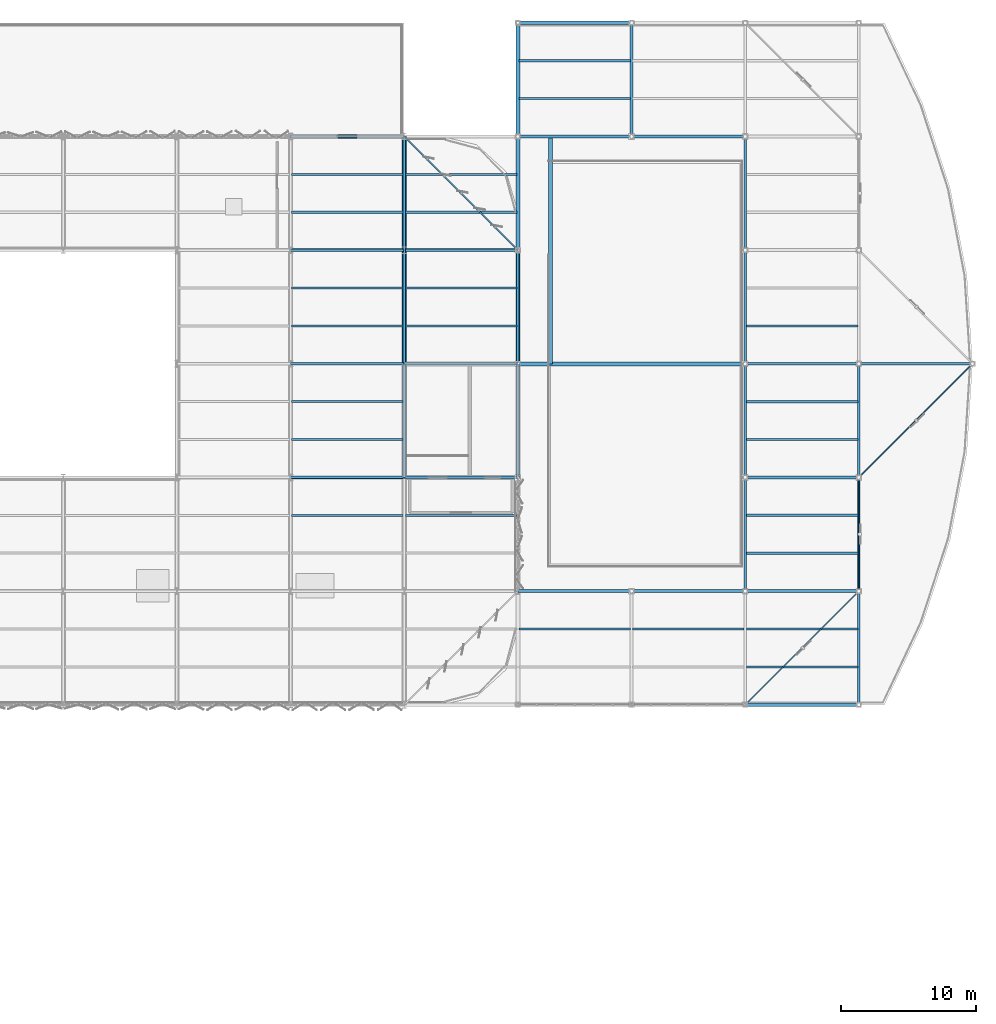
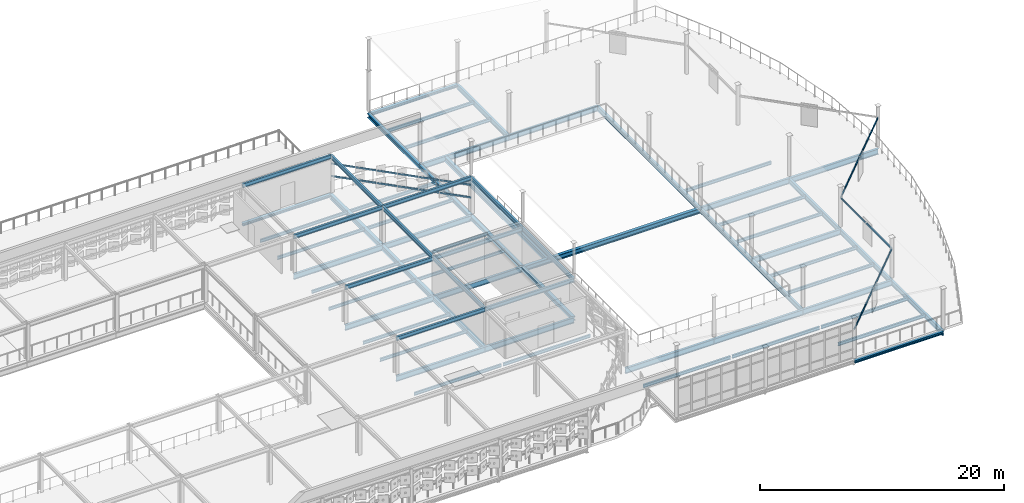
# One storey, part 38 of 65: 74 beams.
"""IFC4 building model written with IfcOpenShell, lengths in metres."""

from ifc_helpers import new_model, si_unit, direction, frame, origin, origin_2d, place, context, subcontext, project, spatial, hollow_rectangle, i_section, extrude, material, material_profile, profile_set, type_object, element, save


model = new_model("IFC4")

# Units and contexts
model_context = context("Model", 3, precision=1e-05, world=origin(), true_north=direction((0.0, 1.0)))
body_context = subcontext(model_context, "Body", "Model", "MODEL_VIEW")
ifc_project = project(units=[si_unit("LENGTHUNIT", "METRE"), si_unit("AREAUNIT", "SQUARE_METRE"), si_unit("VOLUMEUNIT", "CUBIC_METRE"), si_unit("PLANEANGLEUNIT", "RADIAN"), si_unit("MASSUNIT", "GRAM", prefix="KILO")], contexts=[model_context])

# Site, building, storey
site_placement = place(None, origin())
site = spatial("IfcSite", under=ifc_project, at=site_placement, CompositionType="ELEMENT")
building_placement = place(site_placement, origin())
building = spatial("IfcBuilding", under=site, at=building_placement, Name="Qalvenar Corner Mobility Hub", CompositionType="ELEMENT")
storey_placement = place(building_placement, frame((0.0, 0.0, 17.39990234375)))
storey = spatial("IfcBuildingStorey", under=building, at=storey_placement, Name="L04", CompositionType="ELEMENT", Elevation=17.39990234375)

# Beams
ifc_material = material(Name="Steel S355", Category="steel")
ifc_material_profile_1 = material_profile(ifc_material, i_section(OverallWidth=0.300048828125, OverallDepth=0.489990234375, WebThickness=0.011962890625, FlangeThickness=0.02294921875, FilletRadius=0.027099609375, at=origin_2d()), Name="HEA500")
ifc_profile_set_1 = profile_set([ifc_material_profile_1], Name="Steel S355")
beam_type_1 = type_object("IfcBeamType", Name="BM-HEA500", PredefinedType="BEAM", material=ifc_profile_set_1)
beam_1_placement = place(storey_placement, frame((134.39990234375, 84.0, -0.48486328125), z_axis=(0.0, 1.0, 0.0), x_axis=(-1.0, 0.0, 0.0)))
element("IfcBeam", 1, at=beam_1_placement, inside=storey, type_object=beam_type_1, Name="Primary Steel Girder GY-2810", PredefinedType="BEAM", context=body_context, shape_type="SweptSolid", body=[
    extrude(i_section(OverallWidth=0.300048828125, OverallDepth=0.489990234375, WebThickness=0.011962890625, FlangeThickness=0.02294921875, FilletRadius=0.027099609375, at=origin_2d()), origin(), (0.0, 0.0, 1.0), 8.39990234375),
])
beam_2_placement = place(storey_placement, frame((134.39990234375, 92.39990234375, -0.48486328125), z_axis=(0.0, 1.0, 0.0), x_axis=(-1.0, 0.0, 0.0)))
element("IfcBeam", 2, at=beam_2_placement, inside=storey, type_object=beam_type_1, Name="Primary Steel Girder GY-2811", PredefinedType="BEAM", context=body_context, shape_type="SweptSolid", body=[
    extrude(i_section(OverallWidth=0.300048828125, OverallDepth=0.489990234375, WebThickness=0.011962890625, FlangeThickness=0.02294921875, FilletRadius=0.027099609375, at=origin_2d()), origin(), (0.0, 0.0, 1.0), 8.400146484375),
])
beam_3_placement = place(storey_placement, frame((134.39990234375, 100.800048828125, -0.48486328125), z_axis=(0.0, 1.0, 0.0), x_axis=(-1.0, 0.0, 0.0)))
element("IfcBeam", 3, at=beam_3_placement, inside=storey, type_object=beam_type_1, Name="Primary Steel Girder GY-2812", PredefinedType="BEAM", context=body_context, shape_type="SweptSolid", body=[
    extrude(i_section(OverallWidth=0.300048828125, OverallDepth=0.489990234375, WebThickness=0.011962890625, FlangeThickness=0.02294921875, FilletRadius=0.027099609375, at=origin_2d()), origin(), (0.0, 0.0, 1.0), 8.39990234375),
])
for number, where, z_axis, x_axis, name in (
    (4, (142.800048828125, 92.39990234375, -0.512939453125), (1.0, 0.0, 0.0), (0.0, 1.0, 0.0), "Ramp Well Central Tie Girder L04"),
    (5, (145.199951171875, 92.39990234375, -0.512939453125), (0.0, 1.0, 0.0), (-1.0, 0.0, 0.0), "Ramp West Header Girder L04-HI"),
):
    element("IfcBeam", number, at=place(storey_placement, frame(where, z_axis=z_axis, x_axis=x_axis)), inside=storey, type_object=beam_type_1, Name=name, PredefinedType="BEAM", context=body_context, shape_type="SweptSolid", body=[
        extrude(i_section(OverallWidth=0.300048828125, OverallDepth=0.489990234375, WebThickness=0.011962890625, FlangeThickness=0.02294921875, FilletRadius=0.027099609375, at=origin_2d()), origin(), (0.0, 0.0, 1.0), 16.800048828125),
    ])
ifc_material_profile_2 = material_profile(ifc_material, i_section(OverallWidth=0.179931640625, OverallDepth=0.39990234375, WebThickness=0.008544921875, FlangeThickness=0.013427734375, FilletRadius=0.02099609375, at=origin_2d()), Name="IPE400")
ifc_profile_set_2 = profile_set([ifc_material_profile_2], Name="Steel S355")
beam_type_2 = type_object("IfcBeamType", Name="BM-IPE400", PredefinedType="BEAM", material=ifc_profile_set_2)
beam_4_placement = place(storey_placement, frame((134.39990234375, 84.0, 3.47021484375), z_axis=(0.0, 1.0, 0.0), x_axis=(-1.0, 0.0, 0.0)))
element("IfcBeam", 6, at=beam_4_placement, inside=storey, type_object=beam_type_2, Name="EV Roof Girder V4RF-Y-134-84", PredefinedType="BEAM", context=body_context, shape_type="SweptSolid", body=[
    extrude(i_section(OverallWidth=0.179931640625, OverallDepth=0.39990234375, WebThickness=0.008544921875, FlangeThickness=0.013427734375, FilletRadius=0.02099609375, at=origin_2d()), origin(), (0.0, 0.0, 1.0), 8.39990234375),
])
beam_5_placement = place(storey_placement, frame((134.39990234375, 92.39990234375, 3.47021484375), z_axis=(0.0, 1.0, 0.0), x_axis=(-1.0, 0.0, 0.0)))
element("IfcBeam", 7, at=beam_5_placement, inside=storey, type_object=beam_type_2, Name="EV Roof Girder V4RF-Y-134-92", PredefinedType="BEAM", context=body_context, shape_type="SweptSolid", body=[
    extrude(i_section(OverallWidth=0.179931640625, OverallDepth=0.39990234375, WebThickness=0.008544921875, FlangeThickness=0.013427734375, FilletRadius=0.02099609375, at=origin_2d()), origin(), (0.0, 0.0, 1.0), 8.400146484375),
])
for number, where, z_axis, x_axis, name in (
    (8, (134.39990234375, 100.800048828125, 3.47021484375), (0.0, 1.0, 0.0), (-1.0, 0.0, 0.0), "EV Roof Girder V4RF-Y-134-100"),
    (9, (142.800048828125, 84.0, 3.47021484375), (0.0, 1.0, 0.0), (-1.0, 0.0, 0.0), "EV Roof Girder V4RF-Y-142-84"),
):
    element("IfcBeam", number, at=place(storey_placement, frame(where, z_axis=z_axis, x_axis=x_axis)), inside=storey, type_object=beam_type_2, Name=name, PredefinedType="BEAM", context=body_context, shape_type="SweptSolid", body=[
        extrude(i_section(OverallWidth=0.179931640625, OverallDepth=0.39990234375, WebThickness=0.008544921875, FlangeThickness=0.013427734375, FilletRadius=0.02099609375, at=origin_2d()), origin(), (0.0, 0.0, 1.0), 8.39990234375),
    ])
beam_6_placement = place(storey_placement, frame((142.800048828125, 92.39990234375, 3.47021484375), z_axis=(0.0, 1.0, 0.0), x_axis=(-1.0, 0.0, 0.0)))
element("IfcBeam", 10, at=beam_6_placement, inside=storey, type_object=beam_type_2, Name="EV Roof Girder V4RF-Y-142-92", PredefinedType="BEAM", context=body_context, shape_type="SweptSolid", body=[
    extrude(i_section(OverallWidth=0.179931640625, OverallDepth=0.39990234375, WebThickness=0.008544921875, FlangeThickness=0.013427734375, FilletRadius=0.02099609375, at=origin_2d()), origin(), (0.0, 0.0, 1.0), 8.400146484375),
])
beam_7_placement = place(storey_placement, frame((126.0, 84.0, 3.47021484375), z_axis=(1.0, 0.0, 0.0), x_axis=(0.0, 1.0, 0.0)))
element("IfcBeam", 11, at=beam_7_placement, inside=storey, type_object=beam_type_2, Name="EV Roof Girder V4RF-X-126-84", PredefinedType="BEAM", context=body_context, shape_type="SweptSolid", body=[
    extrude(i_section(OverallWidth=0.179931640625, OverallDepth=0.39990234375, WebThickness=0.008544921875, FlangeThickness=0.013427734375, FilletRadius=0.02099609375, at=origin_2d()), origin(), (0.0, 0.0, 1.0), 8.39990234375),
])
beam_8_placement = place(storey_placement, frame((134.39990234375, 84.0, 3.47021484375), z_axis=(1.0, 0.0, 0.0), x_axis=(0.0, 1.0, 0.0)))
element("IfcBeam", 12, at=beam_8_placement, inside=storey, type_object=beam_type_2, Name="EV Roof Girder V4RF-X-134-84", PredefinedType="BEAM", context=body_context, shape_type="SweptSolid", body=[
    extrude(i_section(OverallWidth=0.179931640625, OverallDepth=0.39990234375, WebThickness=0.008544921875, FlangeThickness=0.013427734375, FilletRadius=0.02099609375, at=origin_2d()), origin(), (0.0, 0.0, 1.0), 8.400146484375),
])
beam_9_placement = place(storey_placement, frame((126.0, 92.39990234375, 3.47021484375), z_axis=(1.0, 0.0, 0.0), x_axis=(0.0, 1.0, 0.0)))
element("IfcBeam", 13, at=beam_9_placement, inside=storey, type_object=beam_type_2, Name="EV Roof Girder V4RF-X-126-92", PredefinedType="BEAM", context=body_context, shape_type="SweptSolid", body=[
    extrude(i_section(OverallWidth=0.179931640625, OverallDepth=0.39990234375, WebThickness=0.008544921875, FlangeThickness=0.013427734375, FilletRadius=0.02099609375, at=origin_2d()), origin(), (0.0, 0.0, 1.0), 8.39990234375),
])
beam_10_placement = place(storey_placement, frame((134.39990234375, 92.39990234375, 3.47021484375), z_axis=(1.0, 0.0, 0.0), x_axis=(0.0, 1.0, 0.0)))
element("IfcBeam", 14, at=beam_10_placement, inside=storey, type_object=beam_type_2, Name="EV Roof Girder V4RF-X-134-92", PredefinedType="BEAM", context=body_context, shape_type="SweptSolid", body=[
    extrude(i_section(OverallWidth=0.179931640625, OverallDepth=0.39990234375, WebThickness=0.008544921875, FlangeThickness=0.013427734375, FilletRadius=0.02099609375, at=origin_2d()), origin(), (0.0, 0.0, 1.0), 8.400146484375),
])
beam_11_placement = place(storey_placement, frame((126.0, 100.800048828125, 3.47021484375), z_axis=(1.0, 0.0, 0.0), x_axis=(0.0, 1.0, 0.0)))
element("IfcBeam", 15, at=beam_11_placement, inside=storey, type_object=beam_type_2, Name="EV Roof Girder V4RF-X-126-100", PredefinedType="BEAM", context=body_context, shape_type="SweptSolid", body=[
    extrude(i_section(OverallWidth=0.179931640625, OverallDepth=0.39990234375, WebThickness=0.008544921875, FlangeThickness=0.013427734375, FilletRadius=0.02099609375, at=origin_2d()), origin(), (0.0, 0.0, 1.0), 8.39990234375),
])
beam_12_placement = place(storey_placement, frame((134.39990234375, 100.800048828125, 3.47021484375), z_axis=(1.0, 0.0, 0.0), x_axis=(0.0, 1.0, 0.0)))
element("IfcBeam", 16, at=beam_12_placement, inside=storey, type_object=beam_type_2, Name="EV Roof Girder V4RF-X-134-100", PredefinedType="BEAM", context=body_context, shape_type="SweptSolid", body=[
    extrude(i_section(OverallWidth=0.179931640625, OverallDepth=0.39990234375, WebThickness=0.008544921875, FlangeThickness=0.013427734375, FilletRadius=0.02099609375, at=origin_2d()), origin(), (0.0, 0.0, 1.0), 8.400146484375),
])
beam_13_placement = place(storey_placement, frame((126.0, 109.199951171875, 3.47021484375), z_axis=(1.0, 0.0, 0.0), x_axis=(0.0, 1.0, 0.0)))
element("IfcBeam", 17, at=beam_13_placement, inside=storey, type_object=beam_type_2, Name="EV Roof Girder V4RF-X-126-109", PredefinedType="BEAM", context=body_context, shape_type="SweptSolid", body=[
    extrude(i_section(OverallWidth=0.179931640625, OverallDepth=0.39990234375, WebThickness=0.008544921875, FlangeThickness=0.013427734375, FilletRadius=0.02099609375, at=origin_2d()), origin(), (0.0, 0.0, 1.0), 8.39990234375),
])
ifc_material_profile_3 = material_profile(ifc_material, i_section(OverallWidth=0.199951171875, OverallDepth=0.5, WebThickness=0.01025390625, FlangeThickness=0.01611328125, FilletRadius=0.02099609375, at=origin_2d()), Name="IPE500")
ifc_profile_set_3 = profile_set([ifc_material_profile_3], Name="Steel S355")
beam_type_3 = type_object("IfcBeamType", Name="BM-IPE500", PredefinedType="BEAM", material=ifc_profile_set_3)
beam_14_placement = place(storey_placement, frame((151.199951171875, 109.199951171875, -0.489990234375), z_axis=(0.0, 1.0, 0.0), x_axis=(-1.0, 0.0, 0.0)))
element("IfcBeam", 18, at=beam_14_placement, inside=storey, type_object=beam_type_3, Name="Primary Steel Girder GY-2908", PredefinedType="BEAM", context=body_context, shape_type="SweptSolid", body=[
    extrude(i_section(OverallWidth=0.199951171875, OverallDepth=0.5, WebThickness=0.01025390625, FlangeThickness=0.01611328125, FilletRadius=0.02099609375, at=origin_2d()), origin(), (0.0, 0.0, 1.0), 8.400146484375),
])
for number, where, z_axis, x_axis, name in (
    (19, (159.60009765625, 75.60009765625, -0.489990234375), (0.0, 1.0, 0.0), (-1.0, 0.0, 0.0), "Primary Steel Girder GY-2910"),
    (20, (159.60009765625, 84.0, -0.489990234375), (0.0, 1.0, 0.0), (-1.0, 0.0, 0.0), "Primary Steel Girder GY-2911"),
):
    element("IfcBeam", number, at=place(storey_placement, frame(where, z_axis=z_axis, x_axis=x_axis)), inside=storey, type_object=beam_type_3, Name=name, PredefinedType="BEAM", context=body_context, shape_type="SweptSolid", body=[
        extrude(i_section(OverallWidth=0.199951171875, OverallDepth=0.5, WebThickness=0.01025390625, FlangeThickness=0.01611328125, FilletRadius=0.02099609375, at=origin_2d()), origin(), (0.0, 0.0, 1.0), 8.39990234375),
    ])
beam_15_placement = place(storey_placement, frame((159.60009765625, 92.39990234375, -0.489990234375), z_axis=(0.0, 1.0, 0.0), x_axis=(-1.0, 0.0, 0.0)))
element("IfcBeam", 21, at=beam_15_placement, inside=storey, type_object=beam_type_3, Name="Primary Steel Girder GY-2912", PredefinedType="BEAM", context=body_context, shape_type="SweptSolid", body=[
    extrude(i_section(OverallWidth=0.199951171875, OverallDepth=0.5, WebThickness=0.01025390625, FlangeThickness=0.01611328125, FilletRadius=0.02099609375, at=origin_2d()), origin(), (0.0, 0.0, 1.0), 8.400146484375),
])
beam_16_placement = place(storey_placement, frame((159.60009765625, 100.800048828125, -0.489990234375), z_axis=(0.0, 1.0, 0.0), x_axis=(-1.0, 0.0, 0.0)))
element("IfcBeam", 22, at=beam_16_placement, inside=storey, type_object=beam_type_3, Name="Primary Steel Girder GY-2913", PredefinedType="BEAM", context=body_context, shape_type="SweptSolid", body=[
    extrude(i_section(OverallWidth=0.199951171875, OverallDepth=0.5, WebThickness=0.01025390625, FlangeThickness=0.01611328125, FilletRadius=0.02099609375, at=origin_2d()), origin(), (0.0, 0.0, 1.0), 8.39990234375),
])
beam_17_placement = place(storey_placement, frame((168.0, 67.199951171875, -0.489990234375), z_axis=(0.0, 1.0, 0.0), x_axis=(-1.0, 0.0, 0.0)))
element("IfcBeam", 23, at=beam_17_placement, inside=storey, type_object=beam_type_3, Name="Primary Steel Girder GY-2915", PredefinedType="BEAM", context=body_context, shape_type="SweptSolid", body=[
    extrude(i_section(OverallWidth=0.199951171875, OverallDepth=0.5, WebThickness=0.01025390625, FlangeThickness=0.01611328125, FilletRadius=0.02099609375, at=origin_2d()), origin(), (0.0, 0.0, 1.0), 8.400146484375),
])
for number, where, z_axis, x_axis, name in (
    (24, (168.0, 75.60009765625, -0.489990234375), (0.0, 1.0, 0.0), (-1.0, 0.0, 0.0), "Primary Steel Girder GY-2916"),
    (25, (168.0, 84.0, -0.489990234375), (0.0, 1.0, 0.0), (-1.0, 0.0, 0.0), "Primary Steel Girder GY-2917"),
):
    element("IfcBeam", number, at=place(storey_placement, frame(where, z_axis=z_axis, x_axis=x_axis)), inside=storey, type_object=beam_type_3, Name=name, PredefinedType="BEAM", context=body_context, shape_type="SweptSolid", body=[
        extrude(i_section(OverallWidth=0.199951171875, OverallDepth=0.5, WebThickness=0.01025390625, FlangeThickness=0.01611328125, FilletRadius=0.02099609375, at=origin_2d()), origin(), (0.0, 0.0, 1.0), 8.39990234375),
    ])
ifc_material_profile_4 = material_profile(ifc_material, i_section(OverallWidth=0.2099609375, OverallDepth=0.550048828125, WebThickness=0.010986328125, FlangeThickness=0.01708984375, FilletRadius=0.02392578125, at=origin_2d()), Name="IPE550")
ifc_profile_set_4 = profile_set([ifc_material_profile_4], Name="Steel S355")
beam_type_4 = type_object("IfcBeamType", Name="BM-IPE550", PredefinedType="BEAM", material=ifc_profile_set_4)
beam_18_placement = place(storey_placement, frame((126.0, 84.0, -0.514892578125), z_axis=(1.0, 0.0, 0.0), x_axis=(0.0, 1.0, 0.0)))
element("IfcBeam", 26, at=beam_18_placement, inside=storey, type_object=beam_type_4, Name="Primary Steel Girder GX-2745", PredefinedType="BEAM", context=body_context, shape_type="SweptSolid", body=[
    extrude(i_section(OverallWidth=0.2099609375, OverallDepth=0.550048828125, WebThickness=0.010986328125, FlangeThickness=0.01708984375, FilletRadius=0.02392578125, at=origin_2d()), origin(), (0.0, 0.0, 1.0), 8.39990234375),
])
beam_19_placement = place(storey_placement, frame((134.39990234375, 84.0, -0.514892578125), z_axis=(1.0, 0.0, 0.0), x_axis=(0.0, 1.0, 0.0)))
element("IfcBeam", 27, at=beam_19_placement, inside=storey, type_object=beam_type_4, Name="Primary Steel Girder GX-2746", PredefinedType="BEAM", context=body_context, shape_type="SweptSolid", body=[
    extrude(i_section(OverallWidth=0.2099609375, OverallDepth=0.550048828125, WebThickness=0.010986328125, FlangeThickness=0.01708984375, FilletRadius=0.02392578125, at=origin_2d()), origin(), (0.0, 0.0, 1.0), 8.400146484375),
])
beam_20_placement = place(storey_placement, frame((126.0, 92.39990234375, -0.514892578125), z_axis=(1.0, 0.0, 0.0), x_axis=(0.0, 1.0, 0.0)))
element("IfcBeam", 28, at=beam_20_placement, inside=storey, type_object=beam_type_4, Name="Primary Steel Girder GX-2751", PredefinedType="BEAM", context=body_context, shape_type="SweptSolid", body=[
    extrude(i_section(OverallWidth=0.2099609375, OverallDepth=0.550048828125, WebThickness=0.010986328125, FlangeThickness=0.01708984375, FilletRadius=0.02392578125, at=origin_2d()), origin(), (0.0, 0.0, 1.0), 8.39990234375),
])
beam_21_placement = place(storey_placement, frame((134.39990234375, 92.39990234375, -0.514892578125), z_axis=(1.0, 0.0, 0.0), x_axis=(0.0, 1.0, 0.0)))
element("IfcBeam", 29, at=beam_21_placement, inside=storey, type_object=beam_type_4, Name="Primary Steel Girder GX-2752", PredefinedType="BEAM", context=body_context, shape_type="SweptSolid", body=[
    extrude(i_section(OverallWidth=0.2099609375, OverallDepth=0.550048828125, WebThickness=0.010986328125, FlangeThickness=0.01708984375, FilletRadius=0.02392578125, at=origin_2d()), origin(), (0.0, 0.0, 1.0), 8.400146484375),
])
beam_22_placement = place(storey_placement, frame((126.0, 100.800048828125, -0.514892578125), z_axis=(1.0, 0.0, 0.0), x_axis=(0.0, 1.0, 0.0)))
element("IfcBeam", 30, at=beam_22_placement, inside=storey, type_object=beam_type_4, Name="Primary Steel Girder GX-2761", PredefinedType="BEAM", context=body_context, shape_type="SweptSolid", body=[
    extrude(i_section(OverallWidth=0.2099609375, OverallDepth=0.550048828125, WebThickness=0.010986328125, FlangeThickness=0.01708984375, FilletRadius=0.02392578125, at=origin_2d()), origin(), (0.0, 0.0, 1.0), 8.39990234375),
])
beam_23_placement = place(storey_placement, frame((134.39990234375, 100.800048828125, -0.514892578125), z_axis=(1.0, 0.0, 0.0), x_axis=(0.0, 1.0, 0.0)))
element("IfcBeam", 31, at=beam_23_placement, inside=storey, type_object=beam_type_4, Name="Primary Steel Girder GX-2762", PredefinedType="BEAM", context=body_context, shape_type="SweptSolid", body=[
    extrude(i_section(OverallWidth=0.2099609375, OverallDepth=0.550048828125, WebThickness=0.010986328125, FlangeThickness=0.01708984375, FilletRadius=0.02392578125, at=origin_2d()), origin(), (0.0, 0.0, 1.0), 8.400146484375),
])
beam_24_placement = place(storey_placement, frame((142.800048828125, 75.60009765625, -0.514892578125), z_axis=(1.0, 0.0, 0.0), x_axis=(0.0, 1.0, 0.0)))
element("IfcBeam", 32, at=beam_24_placement, inside=storey, type_object=beam_type_4, Name="Primary Steel Girder GX-2891", PredefinedType="BEAM", context=body_context, shape_type="SweptSolid", body=[
    extrude(i_section(OverallWidth=0.2099609375, OverallDepth=0.550048828125, WebThickness=0.010986328125, FlangeThickness=0.01708984375, FilletRadius=0.02392578125, at=origin_2d()), origin(), (0.0, 0.0, 1.0), 8.39990234375),
])
beam_25_placement = place(storey_placement, frame((151.199951171875, 75.60009765625, -0.514892578125), z_axis=(1.0, 0.0, 0.0), x_axis=(0.0, 1.0, 0.0)))
element("IfcBeam", 33, at=beam_25_placement, inside=storey, type_object=beam_type_4, Name="Primary Steel Girder GX-2892", PredefinedType="BEAM", context=body_context, shape_type="SweptSolid", body=[
    extrude(i_section(OverallWidth=0.2099609375, OverallDepth=0.550048828125, WebThickness=0.010986328125, FlangeThickness=0.01708984375, FilletRadius=0.02392578125, at=origin_2d()), origin(), (0.0, 0.0, 1.0), 8.400146484375),
])
for number, where, z_axis, x_axis, name in (
    (34, (159.60009765625, 75.60009765625, -0.514892578125), (1.0, 0.0, 0.0), (0.0, 1.0, 0.0), "Primary Steel Girder GX-2893"),
    (35, (159.60009765625, 84.0, -0.514892578125), (1.0, 0.0, 0.0), (0.0, 1.0, 0.0), "Primary Steel Girder GX-2894"),
    (36, (159.60009765625, 92.39990234375, -0.514892578125), (1.0, 0.0, 0.0), (0.0, 1.0, 0.0), "Primary Steel Girder GX-2895"),
    (37, (168.0, 92.39990234375, -0.514892578125), (1.0, 0.0, 0.0), (0.0, 1.0, 0.0), "Primary Steel Girder GX-2896"),
    (38, (142.800048828125, 109.199951171875, -0.514892578125), (1.0, 0.0, 0.0), (0.0, 1.0, 0.0), "Primary Steel Girder GX-2898"),
):
    element("IfcBeam", number, at=place(storey_placement, frame(where, z_axis=z_axis, x_axis=x_axis)), inside=storey, type_object=beam_type_4, Name=name, PredefinedType="BEAM", context=body_context, shape_type="SweptSolid", body=[
        extrude(i_section(OverallWidth=0.2099609375, OverallDepth=0.550048828125, WebThickness=0.010986328125, FlangeThickness=0.01708984375, FilletRadius=0.02392578125, at=origin_2d()), origin(), (0.0, 0.0, 1.0), 8.39990234375),
    ])
beam_26_placement = place(storey_placement, frame((151.199951171875, 109.199951171875, -0.514892578125), z_axis=(1.0, 0.0, 0.0), x_axis=(0.0, 1.0, 0.0)))
element("IfcBeam", 39, at=beam_26_placement, inside=storey, type_object=beam_type_4, Name="Primary Steel Girder GX-2899", PredefinedType="BEAM", context=body_context, shape_type="SweptSolid", body=[
    extrude(i_section(OverallWidth=0.2099609375, OverallDepth=0.550048828125, WebThickness=0.010986328125, FlangeThickness=0.01708984375, FilletRadius=0.02392578125, at=origin_2d()), origin(), (0.0, 0.0, 1.0), 8.400146484375),
])
ifc_material_profile_5 = material_profile(ifc_material, i_section(OverallWidth=0.14990234375, OverallDepth=0.300048828125, WebThickness=0.007080078125, FlangeThickness=0.0107421875, FilletRadius=0.014892578125, at=origin_2d()), Name="IPE300")
ifc_profile_set_5 = profile_set([ifc_material_profile_5], Name="Steel S355")
beam_type_5 = type_object("IfcBeamType", Name="BM-JST300", PredefinedType="JOIST", material=ifc_profile_set_5)
for number, where, z_axis, x_axis, name in (
    (40, (126.077880859375, 81.199951171875, -0.389892578125), (1.0, 0.0, 0.0), (0.0, 1.0, 0.0), "Composite Floor Joist J-2877"),
    (41, (126.077880859375, 86.800048828125, -0.389892578125), (1.0, 0.0, 0.0), (0.0, 1.0, 0.0), "Composite Floor Joist J-2878"),
    (42, (126.077880859375, 89.60009765625, -0.389892578125), (1.0, 0.0, 0.0), (0.0, 1.0, 0.0), "Composite Floor Joist J-2879"),
    (43, (126.077880859375, 95.199951171875, -0.389892578125), (1.0, 0.0, 0.0), (0.0, 1.0, 0.0), "Composite Floor Joist J-2880"),
    (44, (126.077880859375, 98.0, -0.389892578125), (1.0, 0.0, 0.0), (0.0, 1.0, 0.0), "Composite Floor Joist J-2881"),
    (45, (126.077880859375, 103.60009765625, -0.389892578125), (1.0, 0.0, 0.0), (0.0, 1.0, 0.0), "Composite Floor Joist J-2882"),
    (46, (126.077880859375, 106.39990234375, -0.389892578125), (1.0, 0.0, 0.0), (0.0, 1.0, 0.0), "Composite Floor Joist J-2883"),
):
    element("IfcBeam", number, at=place(storey_placement, frame(where, z_axis=z_axis, x_axis=x_axis)), inside=storey, type_object=beam_type_5, Name=name, PredefinedType="JOIST", context=body_context, shape_type="SweptSolid", body=[
        extrude(i_section(OverallWidth=0.14990234375, OverallDepth=0.300048828125, WebThickness=0.007080078125, FlangeThickness=0.0107421875, FilletRadius=0.014892578125, at=origin_2d()), origin(), (0.0, 0.0, 1.0), 8.244140625),
    ])
for number, where, z_axis, x_axis, name in (
    (47, (134.47802734375, 81.199951171875, -0.389892578125), (1.0, 0.0, 0.0), (0.0, 1.0, 0.0), "Composite Floor Joist J-2885"),
    (48, (134.47802734375, 95.199951171875, -0.389892578125), (1.0, 0.0, 0.0), (0.0, 1.0, 0.0), "Composite Floor Joist J-2886"),
    (49, (134.47802734375, 98.0, -0.389892578125), (1.0, 0.0, 0.0), (0.0, 1.0, 0.0), "Composite Floor Joist J-2887"),
):
    element("IfcBeam", number, at=place(storey_placement, frame(where, z_axis=z_axis, x_axis=x_axis)), inside=storey, type_object=beam_type_5, Name=name, PredefinedType="JOIST", context=body_context, shape_type="SweptSolid", body=[
        extrude(i_section(OverallWidth=0.14990234375, OverallDepth=0.300048828125, WebThickness=0.007080078125, FlangeThickness=0.0107421875, FilletRadius=0.014892578125, at=origin_2d()), origin(), (0.0, 0.0, 1.0), 8.243896484375),
    ])
ifc_material_profile_6 = material_profile(ifc_material, i_section(OverallWidth=0.1650390625, OverallDepth=0.31005859375, WebThickness=0.005859375, FlangeThickness=0.009765625, FilletRadius=0.011962890625, at=origin_2d()), Name="W310x38.7")
ifc_profile_set_6 = profile_set([ifc_material_profile_6], Name="Steel S355")
beam_type_6 = type_object("IfcBeamType", Name="BM-JST310", PredefinedType="JOIST", material=ifc_profile_set_6)
for number, where, z_axis, x_axis, name in (
    (50, (134.47802734375, 103.60009765625, -0.39501953125), (1.0, 0.0, 0.0), (0.0, 1.0, 0.0), "Composite Floor Joist J-2923"),
    (51, (134.47802734375, 106.39990234375, -0.39501953125), (1.0, 0.0, 0.0), (0.0, 1.0, 0.0), "Composite Floor Joist J-2924"),
):
    element("IfcBeam", number, at=place(storey_placement, frame(where, z_axis=z_axis, x_axis=x_axis)), inside=storey, type_object=beam_type_6, Name=name, PredefinedType="JOIST", context=body_context, shape_type="SweptSolid", body=[
        extrude(i_section(OverallWidth=0.1650390625, OverallDepth=0.31005859375, WebThickness=0.005859375, FlangeThickness=0.009765625, FilletRadius=0.011962890625, at=origin_2d()), origin(), (0.0, 0.0, 1.0), 8.243896484375),
    ])
for number, where, z_axis, x_axis, name in (
    (52, (142.8779296875, 72.800048828125, -0.39501953125), (1.0, 0.0, 0.0), (0.0, 1.0, 0.0), "Composite Floor Joist J-2926"),
    (53, (142.8779296875, 112.0, -0.39501953125), (1.0, 0.0, 0.0), (0.0, 1.0, 0.0), "Composite Floor Joist J-2927"),
    (54, (142.8779296875, 114.800048828125, -0.39501953125), (1.0, 0.0, 0.0), (0.0, 1.0, 0.0), "Composite Floor Joist J-2928"),
):
    element("IfcBeam", number, at=place(storey_placement, frame(where, z_axis=z_axis, x_axis=x_axis)), inside=storey, type_object=beam_type_6, Name=name, PredefinedType="JOIST", context=body_context, shape_type="SweptSolid", body=[
        extrude(i_section(OverallWidth=0.1650390625, OverallDepth=0.31005859375, WebThickness=0.005859375, FlangeThickness=0.009765625, FilletRadius=0.011962890625, at=origin_2d()), origin(), (0.0, 0.0, 1.0), 8.244140625),
    ])
beam_27_placement = place(storey_placement, frame((151.278076171875, 72.800048828125, -0.39501953125), z_axis=(1.0, 0.0, 0.0), x_axis=(0.0, 1.0, 0.0)))
element("IfcBeam", 55, at=beam_27_placement, inside=storey, type_object=beam_type_6, Name="Composite Floor Joist J-2930", PredefinedType="JOIST", context=body_context, shape_type="SweptSolid", body=[
    extrude(i_section(OverallWidth=0.1650390625, OverallDepth=0.31005859375, WebThickness=0.005859375, FlangeThickness=0.009765625, FilletRadius=0.011962890625, at=origin_2d()), origin(), (0.0, 0.0, 1.0), 8.243896484375),
])
for number, where, z_axis, x_axis, name in (
    (56, (159.677978515625, 70.0, -0.39501953125), (1.0, 0.0, 0.0), (0.0, 1.0, 0.0), "Composite Floor Joist J-2933"),
    (57, (159.677978515625, 72.800048828125, -0.39501953125), (1.0, 0.0, 0.0), (0.0, 1.0, 0.0), "Composite Floor Joist J-2934"),
    (58, (159.677978515625, 78.39990234375, -0.39501953125), (1.0, 0.0, 0.0), (0.0, 1.0, 0.0), "Composite Floor Joist J-2935"),
    (59, (159.677978515625, 81.199951171875, -0.39501953125), (1.0, 0.0, 0.0), (0.0, 1.0, 0.0), "Composite Floor Joist J-2936"),
    (60, (159.677978515625, 86.800048828125, -0.39501953125), (1.0, 0.0, 0.0), (0.0, 1.0, 0.0), "Composite Floor Joist J-2937"),
    (61, (159.677978515625, 89.60009765625, -0.39501953125), (1.0, 0.0, 0.0), (0.0, 1.0, 0.0), "Composite Floor Joist J-2938"),
    (62, (159.677978515625, 95.199951171875, -0.39501953125), (1.0, 0.0, 0.0), (0.0, 1.0, 0.0), "Composite Floor Joist J-2939"),
):
    element("IfcBeam", number, at=place(storey_placement, frame(where, z_axis=z_axis, x_axis=x_axis)), inside=storey, type_object=beam_type_6, Name=name, PredefinedType="JOIST", context=body_context, shape_type="SweptSolid", body=[
        extrude(i_section(OverallWidth=0.1650390625, OverallDepth=0.31005859375, WebThickness=0.005859375, FlangeThickness=0.009765625, FilletRadius=0.011962890625, at=origin_2d()), origin(), (0.0, 0.0, 1.0), 8.244140625),
    ])
ifc_material_profile_7 = material_profile(ifc_material, i_section(OverallWidth=0.280029296875, OverallDepth=0.27001953125, WebThickness=0.008056640625, FlangeThickness=0.012939453125, FilletRadius=0.02392578125, at=origin_2d()), Name="HEA280")
ifc_profile_set_7 = profile_set([ifc_material_profile_7], Name="Steel S355")
beam_type_7 = type_object("IfcBeamType", Name="BM-SPN280", PredefinedType="SPANDREL", material=ifc_profile_set_7)
for number, where, z_axis, x_axis, name in (
    (63, (126.0, 109.199951171875, -0.376953125), (1.0, 0.0, 0.0), (0.0, 1.0, 0.0), "Primary Steel Girder GX-2770"),
    (64, (159.60009765625, 67.199951171875, -0.375), (1.0, 0.0, 0.0), (0.0, 1.0, 0.0), "Primary Steel Girder GX-2890"),
    (65, (142.800048828125, 117.60009765625, -0.375), (1.0, 0.0, 0.0), (0.0, 1.0, 0.0), "Primary Steel Girder GX-2901"),
):
    element("IfcBeam", number, at=place(storey_placement, frame(where, z_axis=z_axis, x_axis=x_axis)), inside=storey, type_object=beam_type_7, Name=name, PredefinedType="SPANDREL", context=body_context, shape_type="SweptSolid", body=[
        extrude(i_section(OverallWidth=0.280029296875, OverallDepth=0.27001953125, WebThickness=0.008056640625, FlangeThickness=0.012939453125, FilletRadius=0.02392578125, at=origin_2d()), origin(), (0.0, 0.0, 1.0), 8.39990234375),
    ])
ifc_material_profile_8 = material_profile(ifc_material, i_section(OverallWidth=0.300048828125, OverallDepth=0.389892578125, WebThickness=0.010986328125, FlangeThickness=0.01904296875, FilletRadius=0.027099609375, at=origin_2d()), Name="HEA400")
ifc_profile_set_8 = profile_set([ifc_material_profile_8], Name="Steel S355")
beam_type_8 = type_object("IfcBeamType", Name="BM-SPN400", PredefinedType="SPANDREL", material=ifc_profile_set_8)
beam_28_placement = place(storey_placement, frame((142.800048828125, 84.0, -0.434814453125), z_axis=(0.0, 1.0, 0.0), x_axis=(-1.0, 0.0, 0.0)))
element("IfcBeam", 66, at=beam_28_placement, inside=storey, type_object=beam_type_8, Name="Primary Steel Girder GY-2814", PredefinedType="SPANDREL", context=body_context, shape_type="SweptSolid", body=[
    extrude(i_section(OverallWidth=0.300048828125, OverallDepth=0.389892578125, WebThickness=0.010986328125, FlangeThickness=0.01904296875, FilletRadius=0.027099609375, at=origin_2d()), origin(), (0.0, 0.0, 1.0), 8.39990234375),
])
beam_29_placement = place(storey_placement, frame((142.800048828125, 92.39990234375, -0.434814453125), z_axis=(0.0, 1.0, 0.0), x_axis=(-1.0, 0.0, 0.0)))
element("IfcBeam", 67, at=beam_29_placement, inside=storey, type_object=beam_type_8, Name="Primary Steel Girder GY-2815", PredefinedType="SPANDREL", context=body_context, shape_type="SweptSolid", body=[
    extrude(i_section(OverallWidth=0.300048828125, OverallDepth=0.389892578125, WebThickness=0.010986328125, FlangeThickness=0.01904296875, FilletRadius=0.027099609375, at=origin_2d()), origin(), (0.0, 0.0, 1.0), 8.400146484375),
])
beam_30_placement = place(storey_placement, frame((142.800048828125, 100.800048828125, -0.434814453125), z_axis=(0.0, 1.0, 0.0), x_axis=(-1.0, 0.0, 0.0)))
element("IfcBeam", 68, at=beam_30_placement, inside=storey, type_object=beam_type_8, Name="Primary Steel Girder GY-2905", PredefinedType="SPANDREL", context=body_context, shape_type="SweptSolid", body=[
    extrude(i_section(OverallWidth=0.300048828125, OverallDepth=0.389892578125, WebThickness=0.010986328125, FlangeThickness=0.01904296875, FilletRadius=0.027099609375, at=origin_2d()), origin(), (0.0, 0.0, 1.0), 8.39990234375),
])
beam_31_placement = place(storey_placement, frame((142.800048828125, 109.199951171875, -0.434814453125), z_axis=(0.0, 1.0, 0.0), x_axis=(-1.0, 0.0, 0.0)))
element("IfcBeam", 69, at=beam_31_placement, inside=storey, type_object=beam_type_8, Name="Primary Steel Girder GY-2906", PredefinedType="SPANDREL", context=body_context, shape_type="SweptSolid", body=[
    extrude(i_section(OverallWidth=0.300048828125, OverallDepth=0.389892578125, WebThickness=0.010986328125, FlangeThickness=0.01904296875, FilletRadius=0.027099609375, at=origin_2d()), origin(), (0.0, 0.0, 1.0), 8.400146484375),
])
ifc_material_profile_9 = material_profile(ifc_material, hollow_rectangle(XDim=0.10009765625, YDim=0.14990234375, WallThickness=0.00634765625, InnerFilletRadius=0.00634765625, OuterFilletRadius=0.0126953125, at=origin_2d()), Name="RHS150x100x6.3")
ifc_profile_set_9 = profile_set([ifc_material_profile_9], Name="Steel S355")
beam_type_9 = type_object("IfcBeamType", Name="FR-RAIL150", PredefinedType="SPANDREL", material=ifc_profile_set_9)
for number, where, z_axis, x_axis, name in (
    (70, (142.800048828125, 100.800048828125, 1.5), (-0.707117056885, 0.707096505339, 0.0), (-0.707096505339, -0.707117056885, 0.0), "Corner Facade Rail FRC-L04-0185"),
    (71, (142.800048828125, 100.800048828125, 2.75), (-0.707117056885, 0.707096505339, 0.0), (-0.707096505339, -0.707117056885, 0.0), "Corner Facade Rail FRC-L04-0186"),
    (72, (159.60009765625, 67.199951171875, 2.85009765625), (0.707096505339, 0.707117056885, 0.0), (-0.707117056885, 0.707096505339, 0.0), "Rotunda Screen Rail V2-L04-1"),
):
    element("IfcBeam", number, at=place(storey_placement, frame(where, z_axis=z_axis, x_axis=x_axis)), inside=storey, type_object=beam_type_9, Name=name, PredefinedType="SPANDREL", context=body_context, shape_type="SweptSolid", body=[
        extrude(hollow_rectangle(XDim=0.10009765625, YDim=0.14990234375, WallThickness=0.00634765625, InnerFilletRadius=0.00634765625, OuterFilletRadius=0.0126953125, at=origin_2d()), origin(), (0.0, 0.0, 1.0), 11.87939453125),
    ])
beam_32_placement = place(storey_placement, frame((168.0, 75.60009765625, 2.85009765625), z_axis=(0.0, 1.0, 0.0), x_axis=(-1.0, 0.0, 0.0)))
element("IfcBeam", 73, at=beam_32_placement, inside=storey, type_object=beam_type_9, Name="Rotunda Screen Rail V2-L04-2", PredefinedType="SPANDREL", context=body_context, shape_type="SweptSolid", body=[
    extrude(hollow_rectangle(XDim=0.10009765625, YDim=0.14990234375, WallThickness=0.00634765625, InnerFilletRadius=0.00634765625, OuterFilletRadius=0.0126953125, at=origin_2d()), origin(), (0.0, 0.0, 1.0), 8.39990234375),
])
beam_33_placement = place(storey_placement, frame((168.0, 84.0, 2.85009765625), z_axis=(0.707106781187, 0.707106781187, 0.0), x_axis=(-0.707106781187, 0.707106781187, 0.0)))
element("IfcBeam", 74, at=beam_33_placement, inside=storey, type_object=beam_type_9, Name="Rotunda Screen Rail V2-L04-3", PredefinedType="SPANDREL", context=body_context, shape_type="SweptSolid", body=[
    extrude(hollow_rectangle(XDim=0.10009765625, YDim=0.14990234375, WallThickness=0.00634765625, InnerFilletRadius=0.00634765625, OuterFilletRadius=0.0126953125, at=origin_2d()), origin(), (0.0, 0.0, 1.0), 11.879150390625),
])

save(model, "model.ifc")
